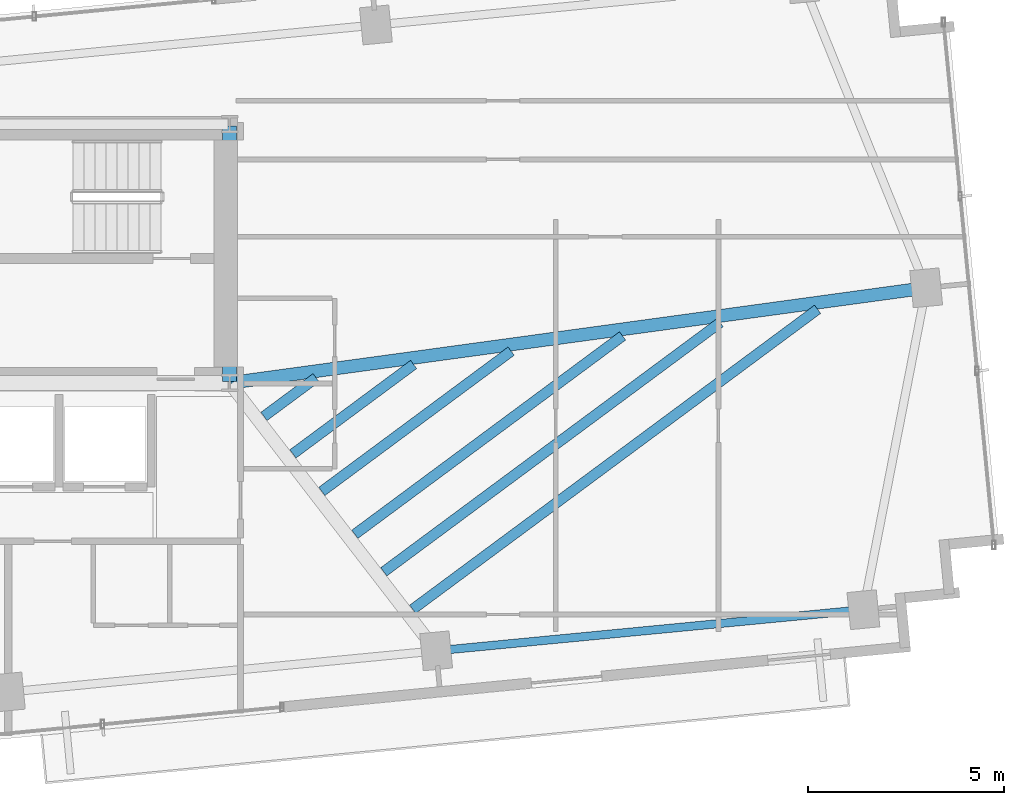
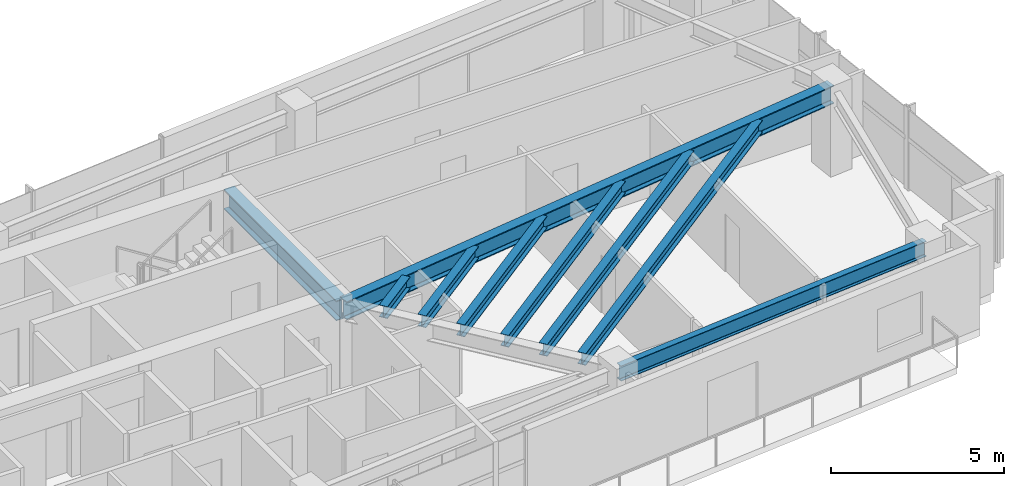
# One storey, part 9 of 18: 9 beams.
"""IFC4 building model written with IfcOpenShell, lengths in metres."""

import ifcopenshell
import ifcopenshell.guid

model = None  # the IFC model being written
_history = None  # IfcOwnerHistory: only IFC2X3 demands one
_inside = {}  # id of a spatial element -> (the spatial element, [elements in it])
_under = {}  # id of a project, library or spatial element -> (it, [spatial elements below it])
_declared = {}  # id of a project -> (the project, [libraries it declares])
_typed = {}  # id of a type object -> (the type object, [elements of that type])
_made_of = {}  # id of a material, layer set ... -> (it, [elements and type objects made of it])


def new_model(schema):
    """Start an empty IFC model of exactly this schema.

    Asked for "IFC4X3", IfcOpenShell would pick the latest addendum, in which some entities
    have other attributes; the version numbers below select the first issue.
    IFC2X3 requires an IfcOwnerHistory on every rooted entity: one is made here for all.
    """
    global model, _history
    if schema == "IFC4X3":
        model = ifcopenshell.file(schema_version=(4, 3, 0, 0))
    else:
        model = ifcopenshell.file(schema=schema)
    _inside.clear()
    _under.clear()
    _declared.clear()
    _typed.clear()
    _made_of.clear()
    _history = None
    if model.schema == "IFC2X3":
        org = make("IfcOrganization", Name="unknown")
        user = make(
            "IfcPersonAndOrganization",
            ThePerson=make("IfcPerson", FamilyName="unknown"),
            TheOrganization=org,
        )
        app = make(
            "IfcApplication",
            ApplicationDeveloper=org,
            Version="unknown",
            ApplicationFullName="unknown",
            ApplicationIdentifier="unknown",
        )
        _history = make(
            "IfcOwnerHistory",
            OwningUser=user,
            OwningApplication=app,
            ChangeAction="ADDED",
            CreationDate=0,
        )
    return model


def make(cls, **values):
    """One entity of the class cls with the attributes given. An attribute that is None is left unset."""
    return model.create_entity(
        cls, **{name: value for name, value in values.items() if value is not None}
    )


def rooted(cls, **values):
    """An entity with a GlobalId (a new one), such as an element, a storey or a relation."""
    return make(cls, GlobalId=ifcopenshell.guid.new(), OwnerHistory=_history, **values)


def si_unit(unit_type, name, prefix=None):
    """IfcSIUnit, for example si_unit("LENGTHUNIT", "METRE", prefix="MILLI")."""
    return make("IfcSIUnit", UnitType=unit_type, Prefix=prefix, Name=name)


def assignment(units):
    """IfcUnitAssignment: the units of a project."""
    return None if units is None else make("IfcUnitAssignment", Units=units)


def point(xyz):
    """IfcCartesianPoint."""
    return None if xyz is None else make("IfcCartesianPoint", Coordinates=xyz)


def direction(xyz):
    """IfcDirection."""
    return None if xyz is None else make("IfcDirection", DirectionRatios=xyz)


def frame(location, z_axis=None, x_axis=None):
    """IfcAxis2Placement3D, a coordinate frame: its origin and axes. An axis left out is left unset."""
    return make(
        "IfcAxis2Placement3D",
        Location=point(location),
        Axis=direction(z_axis),
        RefDirection=direction(x_axis),
    )


def frame_2d(location, x_axis=None):
    """IfcAxis2Placement2D, a coordinate frame in the plane: its origin and x axis."""
    return make(
        "IfcAxis2Placement2D", Location=point(location), RefDirection=direction(x_axis)
    )


def origin():
    """The frame at (0, 0, 0) with its axes left unset."""
    return frame((0.0, 0.0, 0.0))


def origin_2d():
    """The frame at (0, 0) in the plane with its x axis left unset."""
    return frame_2d((0.0, 0.0))


def place(relative_to, where):
    """IfcLocalPlacement: puts the frame where relative to a parent placement (None: the world)."""
    return make(
        "IfcLocalPlacement", PlacementRelTo=relative_to, RelativePlacement=where
    )


def context(
    kind, dimensions, precision=None, world=None, true_north=None, identifier=None
):
    """IfcGeometricRepresentationContext, for example the 3D "Model" context."""
    return make(
        "IfcGeometricRepresentationContext",
        ContextIdentifier=identifier,
        ContextType=kind,
        CoordinateSpaceDimension=dimensions,
        Precision=precision,
        WorldCoordinateSystem=world,
        TrueNorth=true_north,
    )


def subcontext(parent, identifier, kind, view, scale=None):
    """IfcGeometricRepresentationSubContext, for example "Body" below "Model"."""
    return make(
        "IfcGeometricRepresentationSubContext",
        ContextIdentifier=identifier,
        ContextType=kind,
        ParentContext=parent,
        TargetScale=scale,
        TargetView=view,
    )


def project(units=None, contexts=None):
    """IfcProject with its units and contexts."""
    return rooted(
        "IfcProject",
        Name="project",
        RepresentationContexts=contexts,
        UnitsInContext=assignment(units),
    )


def spatial(cls, under=None, at=None, **own):
    """A site, building, storey or space (cls), placed at a placement, below another one or the project."""
    s = rooted(cls, ObjectPlacement=at, **own)
    if under is not None:
        _under.setdefault(under.id(), (under, []))[1].append(s)
    return s


def profile(cls, at=None, kind="AREA", **sizes):
    """A parametric profile (cls). Its sizes go by their IFC names, for example OverallWidth=200.0."""
    return make(cls, ProfileType=kind, Position=at, **sizes)


def i_section(**sizes):
    """IfcIShapeProfileDef."""
    return profile("IfcIShapeProfileDef", **sizes)


def extrude(swept, where, along, depth):
    """IfcExtrudedAreaSolid: the profile swept, set in the frame where, extruded along a direction by depth."""
    return make(
        "IfcExtrudedAreaSolid",
        SweptArea=swept,
        Position=where,
        ExtrudedDirection=direction(along),
        Depth=depth,
    )


def shape(context_of_items, identifier, shape_type, items):
    """IfcShapeRepresentation: the items that make up one representation, for example the "Body"."""
    return make(
        "IfcShapeRepresentation",
        ContextOfItems=context_of_items,
        RepresentationIdentifier=identifier,
        RepresentationType=shape_type,
        Items=items,
    )


def source(mapping_origin, context_of_items, identifier, shape_type, items):
    """IfcRepresentationMap: a shape defined once, which mapped items show again and again."""
    return make(
        "IfcRepresentationMap",
        MappingOrigin=mapping_origin,
        MappedRepresentation=shape(context_of_items, identifier, shape_type, items),
    )


def transform(
    local_origin,
    x_axis=None,
    y_axis=None,
    z_axis=None,
    scale=None,
    scale2=None,
    scale3=None,
    uniform=True,
):
    """IfcCartesianTransformationOperator3D, or its non-uniform kind. x_axis, y_axis, z_axis: its Axis1, 2, 3."""
    if uniform:
        return make(
            "IfcCartesianTransformationOperator3D",
            Axis1=direction(x_axis),
            Axis2=direction(y_axis),
            LocalOrigin=point(local_origin),
            Scale=scale,
            Axis3=direction(z_axis),
        )
    return make(
        "IfcCartesianTransformationOperator3DnonUniform",
        Axis1=direction(x_axis),
        Axis2=direction(y_axis),
        LocalOrigin=point(local_origin),
        Scale=scale,
        Axis3=direction(z_axis),
        Scale2=scale2,
        Scale3=scale3,
    )


def mapped(mapping_source, mapping_target):
    """IfcMappedItem: shows the shape of a source again, moved by a transform."""
    return make(
        "IfcMappedItem", MappingSource=mapping_source, MappingTarget=mapping_target
    )


def material(Name=None, Category=None):
    """IfcMaterial."""
    return make("IfcMaterial", Name=Name, Category=Category)


def material_profile(
    of_material, cross_section, Name=None, Category=None, Priority=None
):
    """IfcMaterialProfile: a cross section and its material."""
    return make(
        "IfcMaterialProfile",
        Name=Name,
        Material=of_material,
        Profile=cross_section,
        Priority=Priority,
        Category=Category,
    )


def profile_set(profiles, Name=None, composite=None):
    """IfcMaterialProfileSet."""
    return make(
        "IfcMaterialProfileSet",
        Name=Name,
        MaterialProfiles=profiles,
        CompositeProfile=composite,
    )


def made_of(thing, what):
    """Note that an element or type object is made of a material, layer set ...; save() writes the relation."""
    if what is not None:
        _made_of.setdefault(what.id(), (what, []))[1].append(thing)
    return thing


def type_object(cls, material=None, **own):
    """A type object (cls), such as IfcWallType, which elements share."""
    return made_of(rooted(cls, **own), material)


def type_shapes(of_type, sources):
    """Give a type object the sources (RepresentationMaps) that its elements show as mapped items."""
    of_type.RepresentationMaps = sources


def element(
    cls,
    number,
    at=None,
    inside=None,
    cuts=None,
    type_object=None,
    material=None,
    context=None,
    identifier="Body",
    shape_type=None,
    held_by="IfcProductDefinitionShape",
    body=None,
    shapes=None,
    **own,
):
    """One element of the class cls, such as IfcWall. Its Tag is "e" and its number.

    at: its placement. inside: the storey or other place that contains it. cuts: it is an
    opening in that element (IfcRelVoidsElement). A single representation is given by context,
    identifier, shape_type and body (its items); several are given by shapes. held_by: the class
    of the entity that holds the representations. save() writes the other relations.
    """
    e = rooted(cls, Tag="e%d" % number, ObjectPlacement=at, **own)
    if body is not None:
        shapes = [shape(context, identifier, shape_type, body)]
    if shapes is not None:
        e.Representation = make(held_by, Representations=shapes)
    if inside is not None:
        _inside.setdefault(inside.id(), (inside, []))[1].append(e)
    if cuts is not None:
        rooted(
            "IfcRelVoidsElement", RelatingBuildingElement=cuts, RelatedOpeningElement=e
        )
    if type_object is not None:
        _typed.setdefault(type_object.id(), (type_object, []))[1].append(e)
    return made_of(e, material)


def aggregate(whole, parts):
    """IfcRelAggregates: a whole, such as a stair, and the parts it consists of."""
    return rooted("IfcRelAggregates", RelatingObject=whole, RelatedObjects=parts)


def save(model, path):
    """Write the relations noted so far, then the file.

    IfcRelAggregates (storeys below a building ...), IfcRelContainedInSpatialStructure (elements
    in a storey), IfcRelDefinesByType, IfcRelAssociatesMaterial and IfcRelDeclares: one each for
    every whole, place, type object, material and project.
    """
    for whole, parts in _under.values():
        aggregate(whole, parts)
    for where, things in _inside.values():
        rooted(
            "IfcRelContainedInSpatialStructure",
            RelatedElements=things,
            RelatingStructure=where,
        )
    for kind, things in _typed.values():
        rooted("IfcRelDefinesByType", RelatedObjects=things, RelatingType=kind)
    for what, things in _made_of.values():
        rooted("IfcRelAssociatesMaterial", RelatedObjects=things, RelatingMaterial=what)
    for by, libraries in _declared.values():
        rooted("IfcRelDeclares", RelatingContext=by, RelatedDefinitions=libraries)
    model.write(path)


model = new_model("IFC4")

# Units and contexts
model_context = context("Model", 3, precision=1e-05, world=origin(), true_north=direction((0.0, 1.0)))
body_context = subcontext(model_context, "Body", "Model", "MODEL_VIEW")
ifc_project = project(units=[si_unit("LENGTHUNIT", "METRE"), si_unit("AREAUNIT", "SQUARE_METRE"), si_unit("VOLUMEUNIT", "CUBIC_METRE"), si_unit("PLANEANGLEUNIT", "RADIAN"), si_unit("MASSUNIT", "GRAM", prefix="KILO")], contexts=[model_context])

# Site, building, storey
site_placement = place(None, origin())
site = spatial("IfcSite", under=ifc_project, at=site_placement, CompositionType="ELEMENT")
building_placement = place(site_placement, origin())
building = spatial("IfcBuilding", under=site, at=building_placement, Name="Astriad Promenade Condominiums", CompositionType="ELEMENT")
storey_placement = place(building_placement, frame((0.0, 0.0, 195.39990234375)))
storey = spatial("IfcBuildingStorey", under=building, at=storey_placement, Name="L56", CompositionType="ELEMENT", Elevation=195.39990234375)

# Beams
ifc_material = material(Name="Steel ASTM A992 Grade 50", Category="steel")
ifc_material_profile_1 = material_profile(ifc_material, i_section(OverallWidth=0.35791015625, OverallDepth=0.706298828125, WebThickness=0.018310546875, FlangeThickness=0.0302734375, FilletRadius=0.020263671875, at=origin_2d()), Name="W27X178")
ifc_profile_set_1 = profile_set([ifc_material_profile_1], Name="Steel ASTM A992 Grade 50")
beam_type_1 = type_object("IfcBeamType", Name="STEEL FLOOR GIRDER W27X178", PredefinedType="BEAM", material=ifc_profile_set_1)
shared_shape_1 = source(origin(), body_context, "Body", "SweptSolid", [
    extrude(i_section(OverallWidth=0.35791015625, OverallDepth=0.706298828125, WebThickness=0.018310546875, FlangeThickness=0.0302734375, FilletRadius=0.020263671875, at=origin_2d()), origin(), (0.0, 0.0, 1.0), 6.52001953125),
])
type_shapes(beam_type_1, [shared_shape_1])
beam_1_placement = place(storey_placement, frame((45.60009765625, 17.43994140625, 2.5869140625), z_axis=(0.0, 1.0, 0.0), x_axis=(-1.0, 0.0, 0.0)))
element("IfcBeam", 1, at=beam_1_placement, inside=storey, type_object=beam_type_1, Name="Core Ring Beam CG-E1-L56", PredefinedType="BEAM", context=body_context, shape_type="MappedRepresentation", body=[
    mapped(shared_shape_1, transform((0.0, 0.0, 0.0), scale=1.0)),
])
ifc_material_profile_2 = material_profile(ifc_material, i_section(OverallWidth=0.210693359375, OverallDepth=0.53955078125, WebThickness=0.01171875, FlangeThickness=0.018798828125, FilletRadius=0.0166015625, at=origin_2d()), Name="W21X73")
ifc_profile_set_2 = profile_set([ifc_material_profile_2], Name="Steel ASTM A992 Grade 50")
beam_type_2 = type_object("IfcBeamType", Name="STEEL SPANDREL BEAM W21X73", PredefinedType="SPANDREL", material=ifc_profile_set_2)
shared_shape_2 = source(origin(), body_context, "Body", "SweptSolid", [
    extrude(i_section(OverallWidth=0.210693359375, OverallDepth=0.53955078125, WebThickness=0.01171875, FlangeThickness=0.018798828125, FilletRadius=0.0166015625, at=origin_2d()), origin(), (0.0, 0.0, 1.0), 10.869873046875),
])
type_shapes(beam_type_2, [shared_shape_2])
beam_2_placement = place(storey_placement, frame((50.908203125, 10.5703125, 2.67041015625), z_axis=(0.995396922692, 0.095838229819, 0.0), x_axis=(-0.095838229819, 0.995396922692, 0.0)))
element("IfcBeam", 2, at=beam_2_placement, inside=storey, type_object=beam_type_2, Name="Perimeter Spandrel Beam SP-S4-L56", PredefinedType="SPANDREL", context=body_context, shape_type="MappedRepresentation", body=[
    mapped(shared_shape_2, transform((0.0, 0.0, 0.0), scale=1.0)),
])
ifc_material_profile_3 = material_profile(ifc_material, i_section(OverallWidth=0.327392578125, OverallDepth=0.640625, WebThickness=0.01904296875, FlangeThickness=0.033935546875, FilletRadius=0.017822265625, at=origin_2d()), Name="W24X176")
ifc_profile_set_3 = profile_set([ifc_material_profile_3], Name="Steel ASTM A992 Grade 50")
beam_type_3 = type_object("IfcBeamType", Name="STEEL FLOOR GIRDER W24X176", PredefinedType="BEAM", material=ifc_profile_set_3)
shared_shape_3 = source(origin(), body_context, "Body", "SweptSolid", [
    extrude(i_section(OverallWidth=0.327392578125, OverallDepth=0.640625, WebThickness=0.01904296875, FlangeThickness=0.033935546875, FilletRadius=0.017822265625, at=origin_2d()), origin(), (0.0, 0.0, 1.0), 17.853271484375),
])
type_shapes(beam_type_3, [shared_shape_3])
beam_3_placement = place(storey_placement, frame((63.32861328125, 19.82177734375, 2.619873046875), z_axis=(-0.990799186345, -0.135340209612, 0.0), x_axis=(0.135340209612, -0.990799186345, 0.0)))
element("IfcBeam", 3, at=beam_3_placement, inside=storey, type_object=beam_type_3, Name="Primary Floor Girder PG-EM-L56", PredefinedType="BEAM", context=body_context, shape_type="MappedRepresentation", body=[
    mapped(shared_shape_3, transform((0.0, 0.0, 0.0), scale=1.0)),
])
ifc_material_profile_4 = material_profile(ifc_material, i_section(OverallWidth=0.26318359375, OverallDepth=0.425537109375, WebThickness=0.01318359375, FlangeThickness=0.022216796875, FilletRadius=0.013916015625, at=origin_2d()), Name="W16X89")
ifc_profile_set_4 = profile_set([ifc_material_profile_4], Name="Steel ASTM A992 Grade 50")
beam_type_4 = type_object("IfcBeamType", Name="STEEL FLOOR JOIST W16X89", PredefinedType="JOIST", material=ifc_profile_set_4)
shared_shape_4 = source(origin(), body_context, "Body", "SweptSolid", [
    extrude(i_section(OverallWidth=0.26318359375, OverallDepth=0.425537109375, WebThickness=0.01318359375, FlangeThickness=0.022216796875, FilletRadius=0.013916015625, at=origin_2d()), origin(), (0.0, 0.0, 1.0), 12.85498046875),
])
beam_4_placement = place(storey_placement, frame((50.27001953125, 11.626220703125, 2.727294921875), z_axis=(0.803505042716, 0.595297947526, 0.0), x_axis=(-0.595297947526, 0.803505042716, 0.0)))
element("IfcBeam", 4, at=beam_4_placement, inside=storey, type_object=beam_type_4, Name="Secondary Composite Floor Joist JE1-1-L56", PredefinedType="JOIST", context=body_context, shape_type="MappedRepresentation", body=[
    mapped(shared_shape_4, transform((0.0, 0.0, 0.0), scale=1.0)),
])
shared_shape_5 = source(origin(), body_context, "Body", "SweptSolid", [
    extrude(i_section(OverallWidth=0.26318359375, OverallDepth=0.425537109375, WebThickness=0.01318359375, FlangeThickness=0.022216796875, FilletRadius=0.013916015625, at=origin_2d()), origin(), (0.0, 0.0, 1.0), 10.677001953125),
])
beam_5_placement = place(storey_placement, frame((49.532470703125, 12.5830078125, 2.727294921875), z_axis=(0.803509393025, 0.595292075641, 0.0), x_axis=(-0.595292075641, 0.803509393025, 0.0)))
element("IfcBeam", 5, at=beam_5_placement, inside=storey, type_object=beam_type_4, Name="Secondary Composite Floor Joist JE1-2-L56", PredefinedType="JOIST", context=body_context, shape_type="MappedRepresentation", body=[
    mapped(shared_shape_5, transform((0.0, 0.0, 0.0), scale=1.0)),
])
shared_shape_6 = source(origin(), body_context, "Body", "SweptSolid", [
    extrude(i_section(OverallWidth=0.26318359375, OverallDepth=0.425537109375, WebThickness=0.01318359375, FlangeThickness=0.022216796875, FilletRadius=0.013916015625, at=origin_2d()), origin(), (0.0, 0.0, 1.0), 8.4990234375),
])
beam_6_placement = place(storey_placement, frame((48.794921875, 13.539794921875, 2.727294921875), z_axis=(0.803515972929, 0.595283194159, 0.0), x_axis=(-0.595283194159, 0.803515972929, 0.0)))
element("IfcBeam", 6, at=beam_6_placement, inside=storey, type_object=beam_type_4, Name="Secondary Composite Floor Joist JE1-3-L56", PredefinedType="JOIST", context=body_context, shape_type="MappedRepresentation", body=[
    mapped(shared_shape_6, transform((0.0, 0.0, 0.0), scale=1.0)),
])
shared_shape_7 = source(origin(), body_context, "Body", "SweptSolid", [
    extrude(i_section(OverallWidth=0.26318359375, OverallDepth=0.425537109375, WebThickness=0.01318359375, FlangeThickness=0.022216796875, FilletRadius=0.013916015625, at=origin_2d()), origin(), (0.0, 0.0, 1.0), 6.01025390625),
])
beam_7_placement = place(storey_placement, frame((47.951904296875, 14.633056640625, 2.727294921875), z_axis=(0.803510418138, 0.595290691968, 0.0), x_axis=(-0.595290691968, 0.803510418138, 0.0)))
element("IfcBeam", 7, at=beam_7_placement, inside=storey, type_object=beam_type_4, Name="Secondary Composite Floor Joist JE1-4-L56", PredefinedType="JOIST", context=body_context, shape_type="MappedRepresentation", body=[
    mapped(shared_shape_7, transform((0.0, 0.0, 0.0), scale=1.0)),
])
shared_shape_8 = source(origin(), body_context, "Body", "SweptSolid", [
    extrude(i_section(OverallWidth=0.26318359375, OverallDepth=0.425537109375, WebThickness=0.01318359375, FlangeThickness=0.022216796875, FilletRadius=0.013916015625, at=origin_2d()), origin(), (0.0, 0.0, 1.0), 3.832275390625),
])
beam_8_placement = place(storey_placement, frame((47.21435546875, 15.58984375, 2.727294921875), z_axis=(0.803525593062, 0.59527020864, 0.0), x_axis=(-0.59527020864, 0.803525593062, 0.0)))
element("IfcBeam", 8, at=beam_8_placement, inside=storey, type_object=beam_type_4, Name="Secondary Composite Floor Joist JE1-5-L56", PredefinedType="JOIST", context=body_context, shape_type="MappedRepresentation", body=[
    mapped(shared_shape_8, transform((0.0, 0.0, 0.0), scale=1.0)),
])
shared_shape_9 = source(origin(), body_context, "Body", "SweptSolid", [
    extrude(i_section(OverallWidth=0.26318359375, OverallDepth=0.425537109375, WebThickness=0.01318359375, FlangeThickness=0.022216796875, FilletRadius=0.013916015625, at=origin_2d()), origin(), (0.0, 0.0, 1.0), 1.654541015625),
])
type_shapes(beam_type_4, [shared_shape_4, shared_shape_5, shared_shape_6, shared_shape_7, shared_shape_8, shared_shape_9])
beam_9_placement = place(storey_placement, frame((46.476806640625, 16.54638671875, 2.727294921875), z_axis=(0.803510136239, 0.595291072468, 0.0), x_axis=(-0.595291072468, 0.803510136239, 0.0)))
element("IfcBeam", 9, at=beam_9_placement, inside=storey, type_object=beam_type_4, Name="Secondary Composite Floor Joist JE1-6-L56", PredefinedType="JOIST", context=body_context, shape_type="MappedRepresentation", body=[
    mapped(shared_shape_9, transform((0.0, 0.0, 0.0), scale=1.0)),
])

save(model, "model.ifc")
